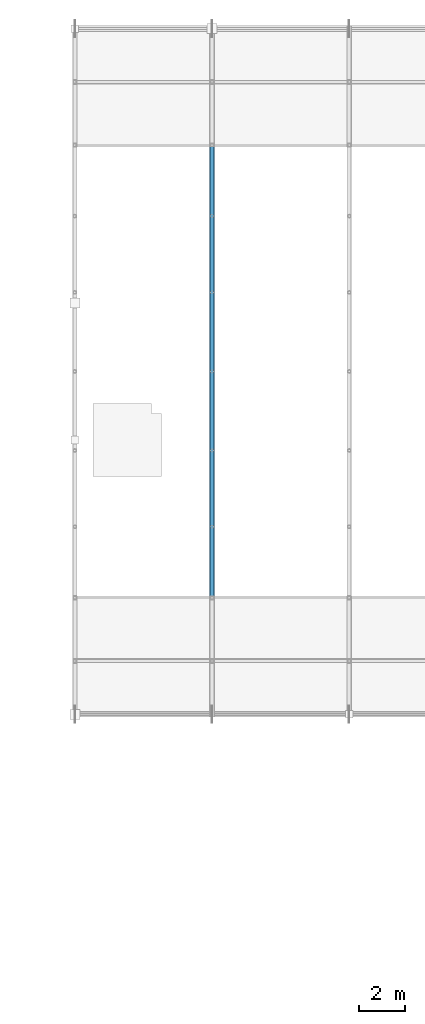
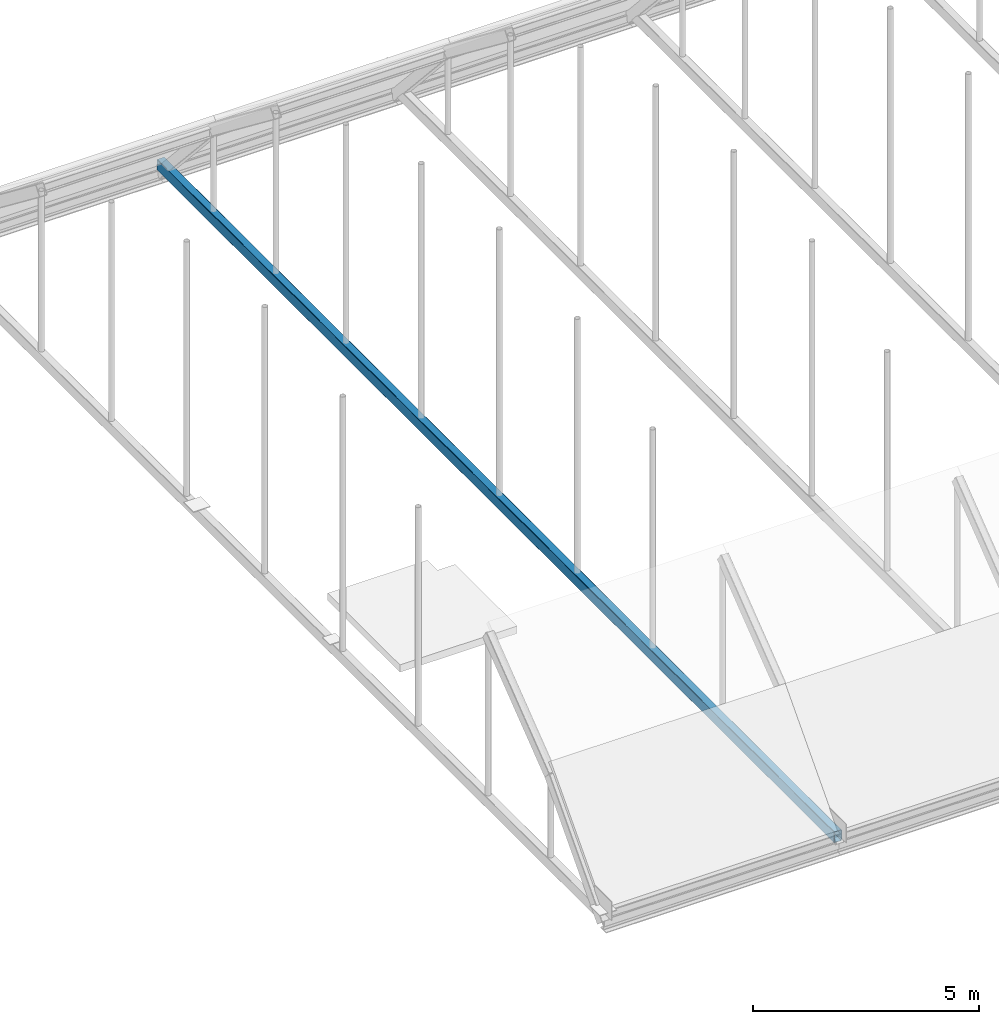
# One storey, part 21 of 63: 1 member.
"""IFC4 building model written with IfcOpenShell, lengths in metres."""

import ifcopenshell
import ifcopenshell.guid

model = None  # the IFC model being written
_history = None  # IfcOwnerHistory: only IFC2X3 demands one
_inside = {}  # id of a spatial element -> (the spatial element, [elements in it])
_under = {}  # id of a project, library or spatial element -> (it, [spatial elements below it])
_declared = {}  # id of a project -> (the project, [libraries it declares])
_typed = {}  # id of a type object -> (the type object, [elements of that type])
_made_of = {}  # id of a material, layer set ... -> (it, [elements and type objects made of it])


def new_model(schema):
    """Start an empty IFC model of exactly this schema.

    Asked for "IFC4X3", IfcOpenShell would pick the latest addendum, in which some entities
    have other attributes; the version numbers below select the first issue.
    IFC2X3 requires an IfcOwnerHistory on every rooted entity: one is made here for all.
    """
    global model, _history
    if schema == "IFC4X3":
        model = ifcopenshell.file(schema_version=(4, 3, 0, 0))
    else:
        model = ifcopenshell.file(schema=schema)
    _inside.clear()
    _under.clear()
    _declared.clear()
    _typed.clear()
    _made_of.clear()
    _history = None
    if model.schema == "IFC2X3":
        org = make("IfcOrganization", Name="unknown")
        user = make(
            "IfcPersonAndOrganization",
            ThePerson=make("IfcPerson", FamilyName="unknown"),
            TheOrganization=org,
        )
        app = make(
            "IfcApplication",
            ApplicationDeveloper=org,
            Version="unknown",
            ApplicationFullName="unknown",
            ApplicationIdentifier="unknown",
        )
        _history = make(
            "IfcOwnerHistory",
            OwningUser=user,
            OwningApplication=app,
            ChangeAction="ADDED",
            CreationDate=0,
        )
    return model


def make(cls, **values):
    """One entity of the class cls with the attributes given. An attribute that is None is left unset."""
    return model.create_entity(
        cls, **{name: value for name, value in values.items() if value is not None}
    )


def rooted(cls, **values):
    """An entity with a GlobalId (a new one), such as an element, a storey or a relation."""
    return make(cls, GlobalId=ifcopenshell.guid.new(), OwnerHistory=_history, **values)


def si_unit(unit_type, name, prefix=None):
    """IfcSIUnit, for example si_unit("LENGTHUNIT", "METRE", prefix="MILLI")."""
    return make("IfcSIUnit", UnitType=unit_type, Prefix=prefix, Name=name)


def assignment(units):
    """IfcUnitAssignment: the units of a project."""
    return None if units is None else make("IfcUnitAssignment", Units=units)


def point(xyz):
    """IfcCartesianPoint."""
    return None if xyz is None else make("IfcCartesianPoint", Coordinates=xyz)


def direction(xyz):
    """IfcDirection."""
    return None if xyz is None else make("IfcDirection", DirectionRatios=xyz)


def frame(location, z_axis=None, x_axis=None):
    """IfcAxis2Placement3D, a coordinate frame: its origin and axes. An axis left out is left unset."""
    return make(
        "IfcAxis2Placement3D",
        Location=point(location),
        Axis=direction(z_axis),
        RefDirection=direction(x_axis),
    )


def frame_2d(location, x_axis=None):
    """IfcAxis2Placement2D, a coordinate frame in the plane: its origin and x axis."""
    return make(
        "IfcAxis2Placement2D", Location=point(location), RefDirection=direction(x_axis)
    )


def origin():
    """The frame at (0, 0, 0) with its axes left unset."""
    return frame((0.0, 0.0, 0.0))


def origin_2d():
    """The frame at (0, 0) in the plane with its x axis left unset."""
    return frame_2d((0.0, 0.0))


def place(relative_to, where):
    """IfcLocalPlacement: puts the frame where relative to a parent placement (None: the world)."""
    return make(
        "IfcLocalPlacement", PlacementRelTo=relative_to, RelativePlacement=where
    )


def context(
    kind, dimensions, precision=None, world=None, true_north=None, identifier=None
):
    """IfcGeometricRepresentationContext, for example the 3D "Model" context."""
    return make(
        "IfcGeometricRepresentationContext",
        ContextIdentifier=identifier,
        ContextType=kind,
        CoordinateSpaceDimension=dimensions,
        Precision=precision,
        WorldCoordinateSystem=world,
        TrueNorth=true_north,
    )


def subcontext(parent, identifier, kind, view, scale=None):
    """IfcGeometricRepresentationSubContext, for example "Body" below "Model"."""
    return make(
        "IfcGeometricRepresentationSubContext",
        ContextIdentifier=identifier,
        ContextType=kind,
        ParentContext=parent,
        TargetScale=scale,
        TargetView=view,
    )


def project(units=None, contexts=None):
    """IfcProject with its units and contexts."""
    return rooted(
        "IfcProject",
        Name="project",
        RepresentationContexts=contexts,
        UnitsInContext=assignment(units),
    )


def spatial(cls, under=None, at=None, **own):
    """A site, building, storey or space (cls), placed at a placement, below another one or the project."""
    s = rooted(cls, ObjectPlacement=at, **own)
    if under is not None:
        _under.setdefault(under.id(), (under, []))[1].append(s)
    return s


def profile(cls, at=None, kind="AREA", **sizes):
    """A parametric profile (cls). Its sizes go by their IFC names, for example OverallWidth=200.0."""
    return make(cls, ProfileType=kind, Position=at, **sizes)


def hollow_rectangle(**sizes):
    """IfcRectangleHollowProfileDef."""
    return profile("IfcRectangleHollowProfileDef", **sizes)


def extrude(swept, where, along, depth):
    """IfcExtrudedAreaSolid: the profile swept, set in the frame where, extruded along a direction by depth."""
    return make(
        "IfcExtrudedAreaSolid",
        SweptArea=swept,
        Position=where,
        ExtrudedDirection=direction(along),
        Depth=depth,
    )


def shape(context_of_items, identifier, shape_type, items):
    """IfcShapeRepresentation: the items that make up one representation, for example the "Body"."""
    return make(
        "IfcShapeRepresentation",
        ContextOfItems=context_of_items,
        RepresentationIdentifier=identifier,
        RepresentationType=shape_type,
        Items=items,
    )


def material(Name=None, Category=None):
    """IfcMaterial."""
    return make("IfcMaterial", Name=Name, Category=Category)


def material_profile(
    of_material, cross_section, Name=None, Category=None, Priority=None
):
    """IfcMaterialProfile: a cross section and its material."""
    return make(
        "IfcMaterialProfile",
        Name=Name,
        Material=of_material,
        Profile=cross_section,
        Priority=Priority,
        Category=Category,
    )


def profile_set(profiles, Name=None, composite=None):
    """IfcMaterialProfileSet."""
    return make(
        "IfcMaterialProfileSet",
        Name=Name,
        MaterialProfiles=profiles,
        CompositeProfile=composite,
    )


def made_of(thing, what):
    """Note that an element or type object is made of a material, layer set ...; save() writes the relation."""
    if what is not None:
        _made_of.setdefault(what.id(), (what, []))[1].append(thing)
    return thing


def type_object(cls, material=None, **own):
    """A type object (cls), such as IfcWallType, which elements share."""
    return made_of(rooted(cls, **own), material)


def element(
    cls,
    number,
    at=None,
    inside=None,
    cuts=None,
    type_object=None,
    material=None,
    context=None,
    identifier="Body",
    shape_type=None,
    held_by="IfcProductDefinitionShape",
    body=None,
    shapes=None,
    **own,
):
    """One element of the class cls, such as IfcWall. Its Tag is "e" and its number.

    at: its placement. inside: the storey or other place that contains it. cuts: it is an
    opening in that element (IfcRelVoidsElement). A single representation is given by context,
    identifier, shape_type and body (its items); several are given by shapes. held_by: the class
    of the entity that holds the representations. save() writes the other relations.
    """
    e = rooted(cls, Tag="e%d" % number, ObjectPlacement=at, **own)
    if body is not None:
        shapes = [shape(context, identifier, shape_type, body)]
    if shapes is not None:
        e.Representation = make(held_by, Representations=shapes)
    if inside is not None:
        _inside.setdefault(inside.id(), (inside, []))[1].append(e)
    if cuts is not None:
        rooted(
            "IfcRelVoidsElement", RelatingBuildingElement=cuts, RelatedOpeningElement=e
        )
    if type_object is not None:
        _typed.setdefault(type_object.id(), (type_object, []))[1].append(e)
    return made_of(e, material)


def aggregate(whole, parts):
    """IfcRelAggregates: a whole, such as a stair, and the parts it consists of."""
    return rooted("IfcRelAggregates", RelatingObject=whole, RelatedObjects=parts)


def save(model, path):
    """Write the relations noted so far, then the file.

    IfcRelAggregates (storeys below a building ...), IfcRelContainedInSpatialStructure (elements
    in a storey), IfcRelDefinesByType, IfcRelAssociatesMaterial and IfcRelDeclares: one each for
    every whole, place, type object, material and project.
    """
    for whole, parts in _under.values():
        aggregate(whole, parts)
    for where, things in _inside.values():
        rooted(
            "IfcRelContainedInSpatialStructure",
            RelatedElements=things,
            RelatingStructure=where,
        )
    for kind, things in _typed.values():
        rooted("IfcRelDefinesByType", RelatedObjects=things, RelatingType=kind)
    for what, things in _made_of.values():
        rooted("IfcRelAssociatesMaterial", RelatedObjects=things, RelatingMaterial=what)
    for by, libraries in _declared.values():
        rooted("IfcRelDeclares", RelatingContext=by, RelatedDefinitions=libraries)
    model.write(path)


model = new_model("IFC4")

# Units and contexts
model_context = context("Model", 3, precision=1e-05, world=origin(), true_north=direction((0.0, 1.0)))
body_context = subcontext(model_context, "Body", "Model", "MODEL_VIEW")
ifc_project = project(units=[si_unit("LENGTHUNIT", "METRE"), si_unit("AREAUNIT", "SQUARE_METRE"), si_unit("VOLUMEUNIT", "CUBIC_METRE"), si_unit("PLANEANGLEUNIT", "RADIAN"), si_unit("MASSUNIT", "GRAM", prefix="KILO")], contexts=[model_context])

# Site, building, storey
site_placement = place(None, origin())
site = spatial("IfcSite", under=ifc_project, at=site_placement, CompositionType="ELEMENT")
building_placement = place(site_placement, origin())
building = spatial("IfcBuilding", under=site, at=building_placement, Name="Varnakota Square Police Headquarters", CompositionType="ELEMENT")
storey_placement = place(building_placement, frame((0.0, 0.0, 22.199951171875)))
storey = spatial("IfcBuildingStorey", under=building, at=storey_placement, Name="L05", CompositionType="ELEMENT", Elevation=22.199951171875)

# Member
ifc_material = material(Name="Steel IS 2062 Grade 350", Category="steel")
ifc_material_profile = material_profile(ifc_material, hollow_rectangle(XDim=0.199951171875, YDim=0.300048828125, WallThickness=0.011962890625, InnerFilletRadius=0.011962890625, OuterFilletRadius=0.02392578125, at=origin_2d()), Name="RHS 300x200x12")
ifc_profile_set = profile_set([ifc_material_profile], Name="Steel IS 2062 Grade 350")
member_type = type_object("IfcMemberType", Name="MEM-TIE-RHS300", PredefinedType="CHORD", material=ifc_profile_set)
member_placement = place(storey_placement, frame((66.0, 69.0, -0.14990234375), z_axis=(0.0, 1.0, 0.0), x_axis=(-1.0, 0.0, 0.0)))
element("IfcMember", 1, at=member_placement, inside=storey, type_object=member_type, Name="Barrel vault tie rod V2-R02", PredefinedType="CHORD", context=body_context, shape_type="SweptSolid", body=[
    extrude(hollow_rectangle(XDim=0.199951171875, YDim=0.300048828125, WallThickness=0.011962890625, InnerFilletRadius=0.011962890625, OuterFilletRadius=0.02392578125, at=origin_2d()), origin(), (0.0, 0.0, 1.0), 30.0),
])

save(model, "model.ifc")
